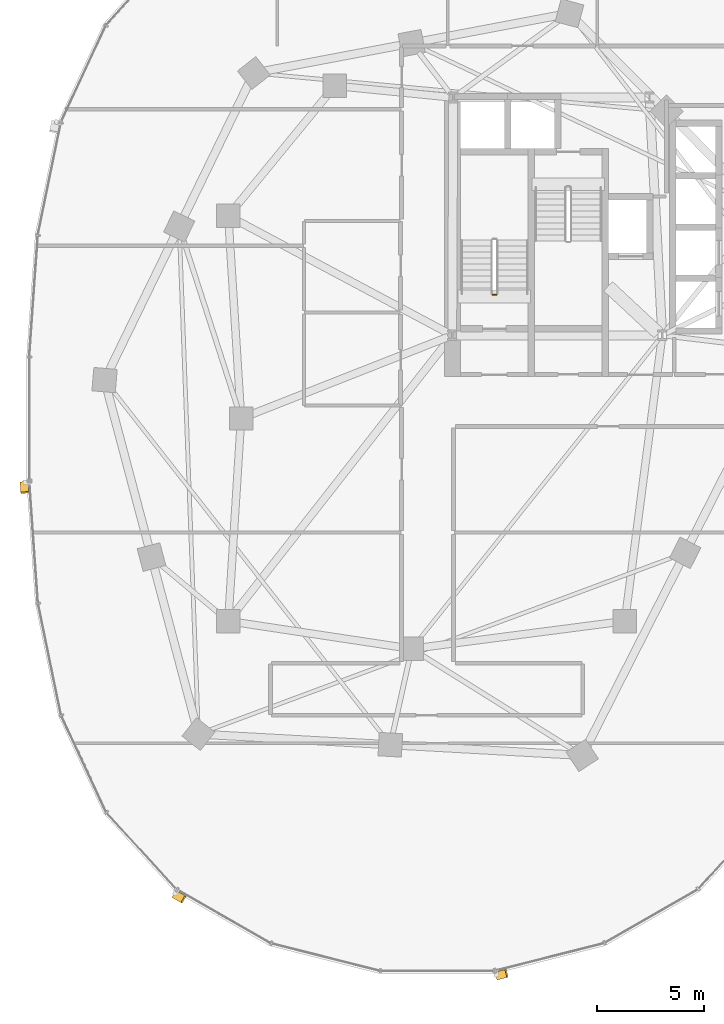
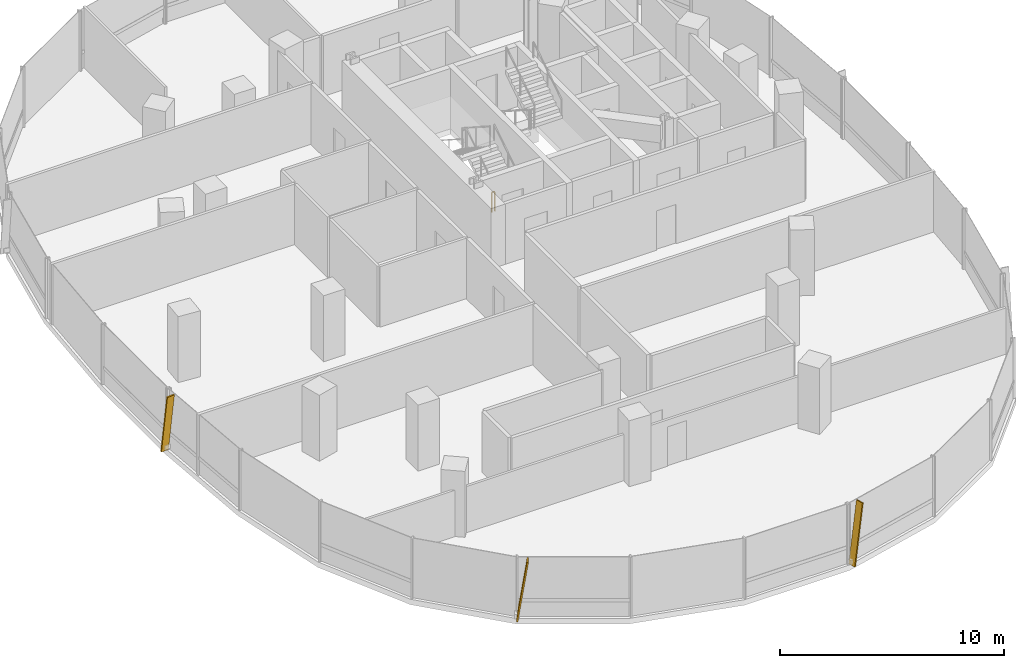
# One storey, part 17 of 21: 3 shading devices, 1 railing.
"""IFC4 building model written with IfcOpenShell, lengths in metres."""

from ifc_helpers import new_model, si_unit, direction, frame, origin, origin_2d, place, context, subcontext, project, spatial, rectangle, extrude, material, material_profile, profile_set, type_object, element, save


model = new_model("IFC4")

# Units and contexts
model_context = context("Model", 3, precision=1e-05, world=origin(), true_north=direction((0.0, 1.0)))
body_context = subcontext(model_context, "Body", "Model", "MODEL_VIEW")
ifc_project = project(units=[si_unit("LENGTHUNIT", "METRE"), si_unit("AREAUNIT", "SQUARE_METRE"), si_unit("VOLUMEUNIT", "CUBIC_METRE"), si_unit("PLANEANGLEUNIT", "RADIAN"), si_unit("MASSUNIT", "GRAM", prefix="KILO"), si_unit("THERMODYNAMICTEMPERATUREUNIT", "KELVIN"), si_unit("POWERUNIT", "WATT")], contexts=[model_context])

# Site, building, storey
site_placement = place(None, origin())
site = spatial("IfcSite", under=ifc_project, at=site_placement, CompositionType="ELEMENT")
building_placement = place(site_placement, origin())
building = spatial("IfcBuilding", under=site, at=building_placement, Name="Cundina Bronze Exchange", CompositionType="ELEMENT")
storey_placement = place(building_placement, frame((0.0, 0.0, 117.800048828125)))
storey = spatial("IfcBuildingStorey", under=building, at=storey_placement, Name="L30", CompositionType="ELEMENT", Elevation=117.800048828125)

# Railing
ifc_material_1 = material(Name="Steel ASTM A36 Painted", Category="steel")
railing_type = type_object("IfcRailingType", Name="RLG-STG-1100", PredefinedType="GUARDRAIL", material=ifc_material_1)
railing_placement = place(storey_placement, frame((-29.239990234375, 5.800048828125, 0.0)))
element("IfcRailing", 1, at=railing_placement, inside=storey, type_object=railing_type, Name="L30 ST-W1 stair guard 4", PredefinedType="GUARDRAIL", context=body_context, shape_type="SweptSolid", body=[
    extrude(rectangle(XDim=0.048095703125, YDim=0.048095703125, at=origin_2d()), frame((0.0, 0.0, 1.076171875), z_axis=(-1.0, 0.0, 0.0), x_axis=(0.0, -1.0, 0.0)), (0.0, 0.0, 1.0), 0.159912109375),
    extrude(rectangle(XDim=0.0419921875, YDim=0.0419921875, at=origin_2d()), origin(), (0.0, 0.0, 1.0), 1.052001953125),
    extrude(rectangle(XDim=0.0419921875, YDim=0.0419921875, at=origin_2d()), frame((-0.159912109375, 0.0, 0.0)), (0.0, 0.0, 1.0), 1.052001953125),
])

# Shading devices
ifc_material_2 = material(Name="Anodised Bronze Aluminium 6063-T6", Category="aluminium")
ifc_material_profile = material_profile(ifc_material_2, rectangle(XDim=0.070068359375, YDim=0.3798828125, at=origin_2d()), Name="FIN70X380", Category="aluminium")
ifc_profile_set = profile_set([ifc_material_profile], Name="Anodised Bronze Aluminium 6063-T6")
shading_device_type = type_object("IfcShadingDeviceType", Name="SHD-FIN-BRZ380", PredefinedType="USERDEFINED", material=ifc_profile_set)
for number, where, z_axis, x_axis, name in (
    (2, (-51.3740234375, -2.993896484375, 0.02001953125), (0.010224545828, -0.145292278041, 0.989335945271), (-0.069450050635, 0.986895284755, 0.145651595925), "L30 Diagonal Bronze Solar Fin 1"),
    (3, (-44.314208984375, -22.314208984375, 0.02001953125), (0.126324692219, -0.072534823274, 0.989333498649), (-0.857958278167, 0.492634108109, 0.145668213594), "L30 Diagonal Bronze Solar Fin 5"),
    (4, (-29.212646484375, -26.138427734375, 0.02001953125), (0.141217047268, 0.035711761166, 0.989334329575), (-0.95914051701, -0.242552848478, 0.145662570088), "L30 Diagonal Bronze Solar Fin 1"),
):
    element("IfcShadingDevice", number, at=place(storey_placement, frame(where, z_axis=z_axis, x_axis=x_axis)), inside=storey, type_object=shading_device_type, Name=name, ObjectType="FIN", PredefinedType="USERDEFINED", context=body_context, shape_type="SweptSolid", body=[
        extrude(rectangle(XDim=0.070068359375, YDim=0.3798828125, at=origin_2d()), origin(), (0.0, 0.0, 1.0), 3.295166015625),
    ])

save(model, "model.ifc")
